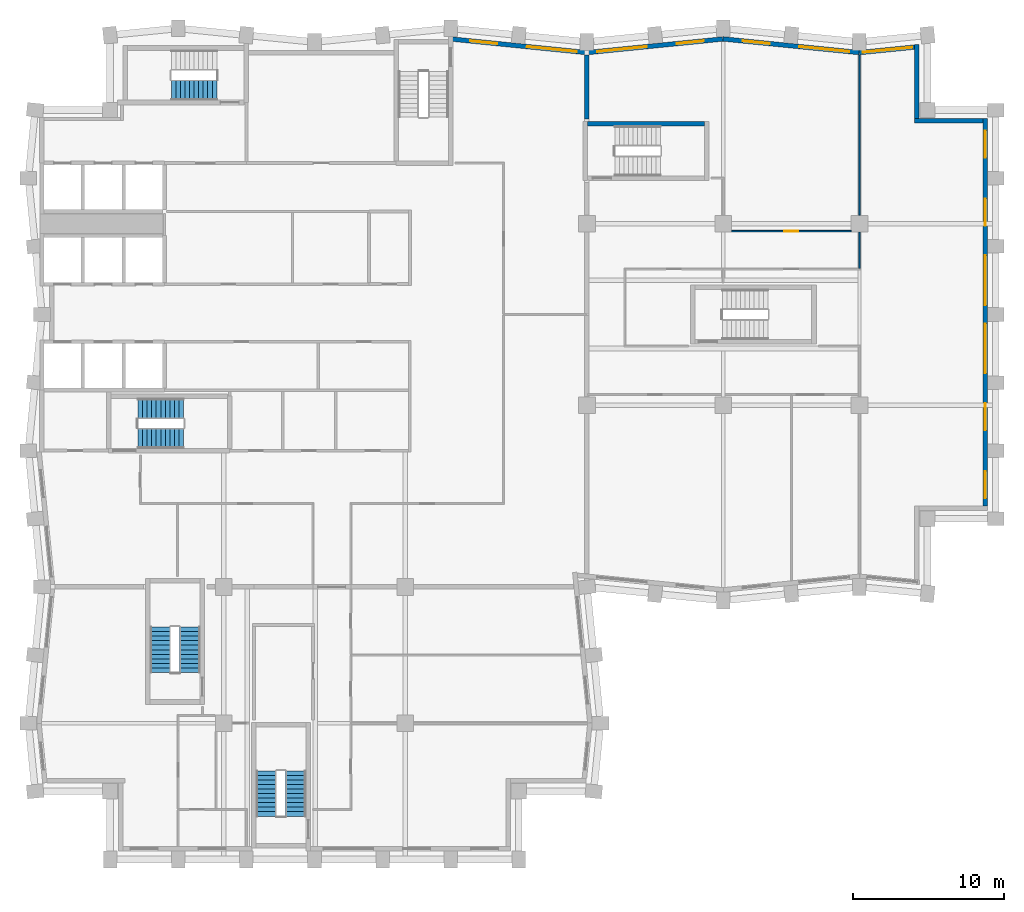
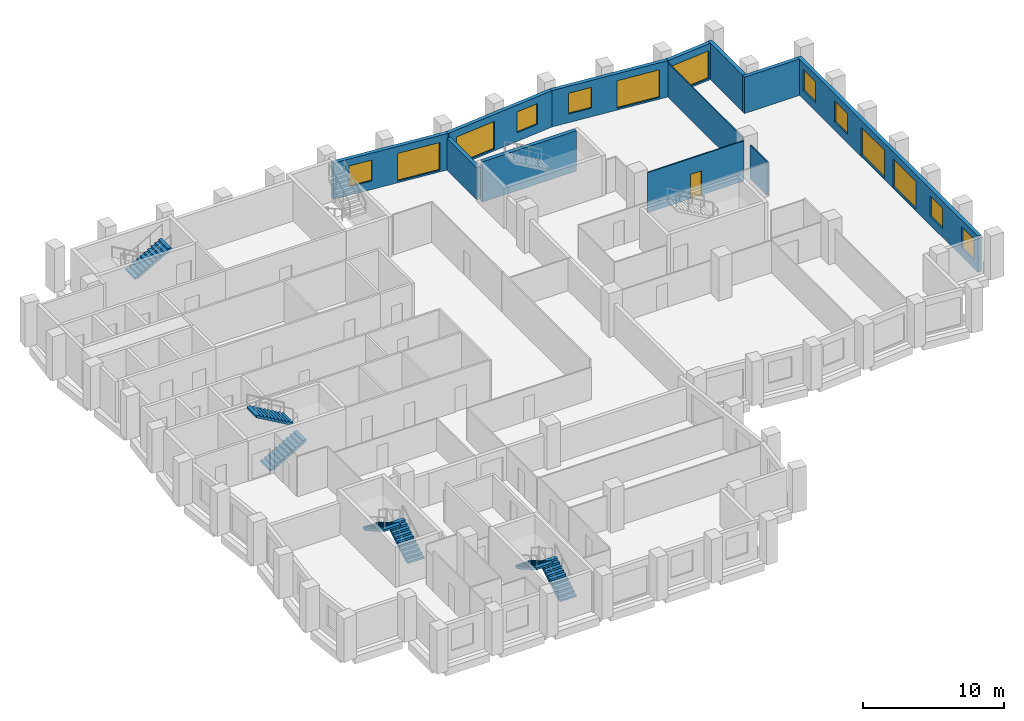
# One storey, part 7 of 10: 13 windows, 12 walls, 7 stair flights, 1 door, 14 openings, 4 elements without a shape of their own.
"""IFC4 building model written with IfcOpenShell, lengths in metres."""

from ifc_helpers import new_model, si_unit, direction, frame, frame_2d, origin, place, context, subcontext, project, spatial, polyline, rectangle, outline, extrude, material, layer, layer_set, type_object, element, fill, aggregate, save


model = new_model("IFC4")

# Units and contexts
model_context = context("Model", 3, precision=1e-05, world=origin(), true_north=direction((0.0, 1.0)))
body_context = subcontext(model_context, "Body", "Model", "MODEL_VIEW")
ifc_project = project(units=[si_unit("LENGTHUNIT", "METRE"), si_unit("AREAUNIT", "SQUARE_METRE"), si_unit("VOLUMEUNIT", "CUBIC_METRE"), si_unit("PLANEANGLEUNIT", "RADIAN"), si_unit("MASSUNIT", "GRAM", prefix="KILO")], contexts=[model_context])

# Site, building, storey
site_placement = place(None, origin())
site = spatial("IfcSite", under=ifc_project, at=site_placement, CompositionType="ELEMENT")
building_placement = place(site_placement, origin())
building = spatial("IfcBuilding", under=site, at=building_placement, Name="Brondeck Convention Tower", CompositionType="ELEMENT")
storey_placement = place(building_placement, frame((0.0, 0.0, 158.60009765625)))
storey = spatial("IfcBuildingStorey", under=building, at=storey_placement, Name="L38", CompositionType="ELEMENT", Elevation=158.60009765625)

# Wall
ifc_material_1 = material(Name="Concrete compartment wall C30/37", Category="concrete")
ifc_layer_1 = layer(ifc_material_1, 0.300048828125)
ifc_layer_set_1 = layer_set([ifc_layer_1], Name="Compartment wall 300")
wall_type_1 = type_object("IfcWallType", Name="Compartment wall 300", PredefinedType="PARTITIONING", material=ifc_layer_set_1)
wall_1_placement = place(storey_placement, frame((36.0, 57.89990234375, 0.0), z_axis=(0.0, 0.0, 1.0), x_axis=(0.0, 1.0, 0.0)))
element("IfcWall", 1, at=wall_1_placement, inside=storey, type_object=wall_type_1, Name="FLR-L38-W060", PredefinedType="PARTITIONING", context=body_context, shape_type="SweptSolid", body=[
    extrude(rectangle(XDim=4.22607421875, YDim=0.300048828125, at=frame_2d((2.113037109375, 0.0))), origin(), (0.0, 0.0, 1.0), 2.77978515625),
])

# Wall, openings, windows
ifc_material_2 = material(Name="Precast concrete C50/60 bronze finish", Category="concrete")
ifc_layer_2 = layer(ifc_material_2, 0.070068359375, Name="Bronze precast facing")
ifc_material_3 = material(Name="Mineral wool")
ifc_layer_3 = layer(ifc_material_3, 0.159912109375, Name="Insulation")
ifc_material_4 = material(Name="Concrete C35/45", Category="concrete")
ifc_layer_4 = layer(ifc_material_4, 0.070068359375, Name="Backing")
ifc_layer_set_2 = layer_set([ifc_layer_2, ifc_layer_3, ifc_layer_4], Name="External infill wall, precast concrete C50/60 bronze facing")
wall_type_2 = type_object("IfcWallType", Name="External infill wall, precast concrete C50/60 bronze facing", PredefinedType="SOLIDWALL", material=ifc_layer_set_2)
wall_2_placement = place(storey_placement, frame((62.300048828125, 57.949951171875, 0.0), z_axis=(0.0, 0.0, 1.0), x_axis=(0.0, -1.0, 0.0)))
wall_2 = element("IfcWall", 2, at=wall_2_placement, inside=storey, type_object=wall_type_2, Name="ENV-EW-L38-P1-A-E63-01", PredefinedType="SOLIDWALL", context=body_context, shape_type="SweptSolid", body=[
    extrude(rectangle(XDim=25.60205078125, YDim=0.300048828125, at=frame_2d((12.801025390625, 0.0))), origin(), (0.0, 0.0, 1.0), 3.14990234375),
])
opening_1_placement = place(wall_2_placement, frame((0.800048828125, 0.0, 0.75)))
opening_1 = element("IfcOpeningElement", 3, at=opening_1_placement, cuts=wall_2, Name="Opening W10", PredefinedType="OPENING", context=body_context, shape_type="SweptSolid", body=[
    extrude(rectangle(XDim=1.800048828125, YDim=1.800048828125, at=frame_2d((0.89990234375, 0.89990234375))), frame((0.0, 0.159912109375, 0.0), z_axis=(0.0, -1.0, 0.0), x_axis=(1.0, 0.0, 0.0)), (0.0, 0.0, 1.0), 0.320068359375),
])
opening_2_placement = place(wall_2_placement, frame((5.300048828125, 0.0, 0.75)))
opening_2 = element("IfcOpeningElement", 4, at=opening_2_placement, cuts=wall_2, Name="Opening W10", PredefinedType="OPENING", context=body_context, shape_type="SweptSolid", body=[
    extrude(rectangle(XDim=1.800048828125, YDim=1.800048828125, at=frame_2d((0.89990234375, 0.89990234375))), frame((0.0, 0.159912109375, 0.0), z_axis=(0.0, -1.0, 0.0), x_axis=(1.0, 0.0, 0.0)), (0.0, 0.0, 1.0), 0.320068359375),
])
opening_3_placement = place(wall_2_placement, frame((9.050048828125, 0.0, 0.14990234375)))
opening_3 = element("IfcOpeningElement", 5, at=opening_3_placement, cuts=wall_2, Name="Opening W9", PredefinedType="OPENING", context=body_context, shape_type="SweptSolid", body=[
    extrude(rectangle(XDim=3.300048828125, YDim=2.39990234375, at=frame_2d((1.64990234375, 1.199951171875))), frame((0.0, 0.159912109375, 0.0), z_axis=(0.0, -1.0, 0.0), x_axis=(1.0, 0.0, 0.0)), (0.0, 0.0, 1.0), 0.320068359375),
])
opening_4_placement = place(wall_2_placement, frame((13.550048828125, 0.0, 0.14990234375)))
opening_4 = element("IfcOpeningElement", 6, at=opening_4_placement, cuts=wall_2, Name="Opening W9", PredefinedType="OPENING", context=body_context, shape_type="SweptSolid", body=[
    extrude(rectangle(XDim=3.300048828125, YDim=2.39990234375, at=frame_2d((1.64990234375, 1.199951171875))), frame((0.0, 0.159912109375, 0.0), z_axis=(0.0, -1.0, 0.0), x_axis=(1.0, 0.0, 0.0)), (0.0, 0.0, 1.0), 0.320068359375),
])
opening_5_placement = place(wall_2_placement, frame((18.800048828125, 0.0, 0.75)))
opening_5 = element("IfcOpeningElement", 7, at=opening_5_placement, cuts=wall_2, Name="Opening W10", PredefinedType="OPENING", context=body_context, shape_type="SweptSolid", body=[
    extrude(rectangle(XDim=1.800048828125, YDim=1.800048828125, at=frame_2d((0.89990234375, 0.89990234375))), frame((0.0, 0.159912109375, 0.0), z_axis=(0.0, -1.0, 0.0), x_axis=(1.0, 0.0, 0.0)), (0.0, 0.0, 1.0), 0.320068359375),
])
opening_6_placement = place(wall_2_placement, frame((23.300048828125, 0.0, 0.75)))
opening_6 = element("IfcOpeningElement", 8, at=opening_6_placement, cuts=wall_2, Name="Opening W10", PredefinedType="OPENING", context=body_context, shape_type="SweptSolid", body=[
    extrude(rectangle(XDim=1.800048828125, YDim=1.800048828125, at=frame_2d((0.89990234375, 0.89990234375))), frame((0.0, 0.159912109375, 0.0), z_axis=(0.0, -1.0, 0.0), x_axis=(1.0, 0.0, 0.0)), (0.0, 0.0, 1.0), 0.320068359375),
])
ifc_material_5 = material(Name="Bronze tinted double glazing", Category="glass")
window_type_1 = type_object("IfcWindowType", Name="Glazed flute window, bronze tinted", PartitioningType="SINGLE_PANEL", PredefinedType="WINDOW", material=ifc_material_5)
window_1_placement = place(opening_3_placement, origin())
window_1 = element("IfcWindow", 9, at=window_1_placement, inside=storey, type_object=window_type_1, Name="ENV-WN-L38-P1-A-E63-04", OverallHeight=2.39990234375, OverallWidth=3.300048828125, PartitioningType="SINGLE_PANEL", PredefinedType="WINDOW", context=body_context, shape_type="SweptSolid", body=[
    extrude(rectangle(XDim=3.300048828125, YDim=2.39990234375, at=frame_2d((1.64990234375, 1.199951171875))), frame((0.0, 0.030029296875, 0.0), z_axis=(0.0, -1.0, 0.0), x_axis=(1.0, 0.0, 0.0)), (0.0, 0.0, 1.0), 0.06005859375),
])
fill(opening_3, window_1)
window_2_placement = place(opening_4_placement, origin())
window_2 = element("IfcWindow", 10, at=window_2_placement, inside=storey, type_object=window_type_1, Name="ENV-WN-L38-P1-A-E63-03", OverallHeight=2.39990234375, OverallWidth=3.300048828125, PartitioningType="SINGLE_PANEL", PredefinedType="WINDOW", context=body_context, shape_type="SweptSolid", body=[
    extrude(rectangle(XDim=3.300048828125, YDim=2.39990234375, at=frame_2d((1.64990234375, 1.199951171875))), frame((0.0, 0.030029296875, 0.0), z_axis=(0.0, -1.0, 0.0), x_axis=(1.0, 0.0, 0.0)), (0.0, 0.0, 1.0), 0.06005859375),
])
fill(opening_4, window_2)
window_type_2 = type_object("IfcWindowType", Name="Punched window, bronze tinted", PartitioningType="SINGLE_PANEL", PredefinedType="WINDOW", material=ifc_material_5)
window_3_placement = place(opening_1_placement, origin())
window_3 = element("IfcWindow", 11, at=window_3_placement, inside=storey, type_object=window_type_2, Name="ENV-WN-L38-P1-A-E63-06", OverallHeight=1.800048828125, OverallWidth=1.800048828125, PartitioningType="SINGLE_PANEL", PredefinedType="WINDOW", context=body_context, shape_type="SweptSolid", body=[
    extrude(rectangle(XDim=1.800048828125, YDim=1.800048828125, at=frame_2d((0.89990234375, 0.89990234375))), frame((0.0, 0.030029296875, 0.0), z_axis=(0.0, -1.0, 0.0), x_axis=(1.0, 0.0, 0.0)), (0.0, 0.0, 1.0), 0.06005859375),
])
fill(opening_1, window_3)
window_4_placement = place(opening_2_placement, origin())
window_4 = element("IfcWindow", 12, at=window_4_placement, inside=storey, type_object=window_type_2, Name="ENV-WN-L38-P1-A-E63-05", OverallHeight=1.800048828125, OverallWidth=1.800048828125, PartitioningType="SINGLE_PANEL", PredefinedType="WINDOW", context=body_context, shape_type="SweptSolid", body=[
    extrude(rectangle(XDim=1.800048828125, YDim=1.800048828125, at=frame_2d((0.89990234375, 0.89990234375))), frame((0.0, 0.030029296875, 0.0), z_axis=(0.0, -1.0, 0.0), x_axis=(1.0, 0.0, 0.0)), (0.0, 0.0, 1.0), 0.06005859375),
])
fill(opening_2, window_4)
window_5_placement = place(opening_5_placement, origin())
window_5 = element("IfcWindow", 13, at=window_5_placement, inside=storey, type_object=window_type_2, Name="ENV-WN-L38-P1-A-E63-02", OverallHeight=1.800048828125, OverallWidth=1.800048828125, PartitioningType="SINGLE_PANEL", PredefinedType="WINDOW", context=body_context, shape_type="SweptSolid", body=[
    extrude(rectangle(XDim=1.800048828125, YDim=1.800048828125, at=frame_2d((0.89990234375, 0.89990234375))), frame((0.0, 0.030029296875, 0.0), z_axis=(0.0, -1.0, 0.0), x_axis=(1.0, 0.0, 0.0)), (0.0, 0.0, 1.0), 0.06005859375),
])
fill(opening_5, window_5)
window_6_placement = place(opening_6_placement, origin())
window_6 = element("IfcWindow", 14, at=window_6_placement, inside=storey, type_object=window_type_2, Name="ENV-WN-L38-P1-A-E63-01", OverallHeight=1.800048828125, OverallWidth=1.800048828125, PartitioningType="SINGLE_PANEL", PredefinedType="WINDOW", context=body_context, shape_type="SweptSolid", body=[
    extrude(rectangle(XDim=1.800048828125, YDim=1.800048828125, at=frame_2d((0.89990234375, 0.89990234375))), frame((0.0, 0.030029296875, 0.0), z_axis=(0.0, -1.0, 0.0), x_axis=(1.0, 0.0, 0.0)), (0.0, 0.0, 1.0), 0.06005859375),
])
fill(opening_6, window_6)

# Walls
wall_3_placement = place(storey_placement, frame((57.64990234375, 57.800048828125, 0.0), z_axis=(0.0, 0.0, 1.0), x_axis=(1.0, 0.0, 0.0)))
element("IfcWall", 15, at=wall_3_placement, inside=storey, type_object=wall_type_2, Name="ENV-EW-L38-P1-NC-NEA63-01", PredefinedType="SOLIDWALL", context=body_context, shape_type="SweptSolid", body=[
    extrude(rectangle(XDim=4.502197265625, YDim=0.300048828125, at=frame_2d((2.2509765625, 0.0))), origin(), (0.0, 0.0, 1.0), 3.14990234375),
])
wall_4_placement = place(storey_placement, frame((57.800048828125, 62.84228515625, 0.0), z_axis=(0.0, 0.0, 1.0), x_axis=(0.0, -1.0, 0.0)))
element("IfcWall", 16, at=wall_4_placement, inside=storey, type_object=wall_type_2, Name="ENV-EW-L38-P1-NC-NEA63-02", PredefinedType="SOLIDWALL", context=body_context, shape_type="SweptSolid", body=[
    extrude(rectangle(XDim=4.894287109375, YDim=0.300048828125, at=frame_2d((2.447265625, 0.0))), origin(), (0.0, 0.0, 1.0), 3.14990234375),
])

# Wall, opening, window
wall_5_placement = place(storey_placement, frame((53.985107421875, 62.294921875, 0.0), z_axis=(0.0, 0.0, 1.0), x_axis=(0.99503719021, 0.099503719021, 0.0)))
wall_5 = element("IfcWall", 17, at=wall_5_placement, inside=storey, type_object=wall_type_2, Name="ENV-EW-L38-P1-A-N-12", PredefinedType="SOLIDWALL", context=body_context, shape_type="SweptSolid", body=[
    extrude(rectangle(XDim=3.677978515625, YDim=0.300048828125, at=frame_2d((1.8388671875, 0.0))), origin(), (0.0, 0.0, 1.0), 3.14990234375),
])
opening_7_placement = place(wall_5_placement, frame((0.22802734375, 0.0, 0.14990234375)))
opening_7 = element("IfcOpeningElement", 18, at=opening_7_placement, cuts=wall_5, Name="Opening W9", PredefinedType="OPENING", context=body_context, shape_type="SweptSolid", body=[
    extrude(rectangle(XDim=3.300048828125, YDim=2.39990234375, at=frame_2d((1.64990234375, 1.199951171875))), frame((0.0, 0.159912109375, 0.0), z_axis=(0.0, -1.0, 0.0), x_axis=(1.0, 0.0, 0.0)), (0.0, 0.0, 1.0), 0.320068359375),
])
window_7_placement = place(opening_7_placement, origin())
window_7 = element("IfcWindow", 19, at=window_7_placement, inside=storey, type_object=window_type_1, Name="ENV-WN-L38-P1-A-N-12", OverallHeight=2.39990234375, OverallWidth=3.300048828125, PartitioningType="SINGLE_PANEL", PredefinedType="WINDOW", context=body_context, shape_type="SweptSolid", body=[
    extrude(rectangle(XDim=3.300048828125, YDim=2.39990234375, at=frame_2d((1.64990234375, 1.199951171875))), frame((0.0, 0.030029296875, 0.0), z_axis=(0.0, -1.0, 0.0), x_axis=(1.0, 0.0, 0.0)), (0.0, 0.0, 1.0), 0.06005859375),
])
fill(opening_7, window_7)

# Wall, openings, windows
wall_6_placement = place(storey_placement, frame((44.985107421875, 63.197998046875, 0.0), z_axis=(0.0, 0.0, 1.0), x_axis=(0.995037993253, -0.099495688264, 0.0)))
wall_6 = element("IfcWall", 20, at=wall_6_placement, inside=storey, type_object=wall_type_2, Name="ENV-EW-L38-P1-A-N-11", PredefinedType="SOLIDWALL", context=body_context, shape_type="SweptSolid", body=[
    extrude(rectangle(XDim=9.030029296875, YDim=0.300048828125, at=frame_2d((4.51513671875, 0.0))), origin(), (0.0, 0.0, 1.0), 3.14990234375),
])
opening_8_placement = place(wall_6_placement, frame((1.30615234375, 0.0, 0.75)))
opening_8 = element("IfcOpeningElement", 21, at=opening_8_placement, cuts=wall_6, Name="Opening W10", PredefinedType="OPENING", context=body_context, shape_type="SweptSolid", body=[
    extrude(rectangle(XDim=1.800048828125, YDim=1.800048828125, at=frame_2d((0.89990234375, 0.89990234375))), frame((0.0, 0.159912109375, 0.0), z_axis=(0.0, -1.0, 0.0), x_axis=(1.0, 0.0, 0.0)), (0.0, 0.0, 1.0), 0.320068359375),
])
opening_9_placement = place(wall_6_placement, frame((5.07861328125, 0.0, 0.14990234375)))
opening_9 = element("IfcOpeningElement", 22, at=opening_9_placement, cuts=wall_6, Name="Opening W9", PredefinedType="OPENING", context=body_context, shape_type="SweptSolid", body=[
    extrude(rectangle(XDim=3.300048828125, YDim=2.39990234375, at=frame_2d((1.64990234375, 1.199951171875))), frame((0.0, 0.159912109375, 0.0), z_axis=(0.0, -1.0, 0.0), x_axis=(1.0, 0.0, 0.0)), (0.0, 0.0, 1.0), 0.320068359375),
])
window_8_placement = place(opening_9_placement, origin())
window_8 = element("IfcWindow", 23, at=window_8_placement, inside=storey, type_object=window_type_1, Name="ENV-WN-L38-P1-A-N-11", OverallHeight=2.39990234375, OverallWidth=3.300048828125, PartitioningType="SINGLE_PANEL", PredefinedType="WINDOW", context=body_context, shape_type="SweptSolid", body=[
    extrude(rectangle(XDim=3.300048828125, YDim=2.39990234375, at=frame_2d((1.64990234375, 1.199951171875))), frame((0.0, 0.030029296875, 0.0), z_axis=(0.0, -1.0, 0.0), x_axis=(1.0, 0.0, 0.0)), (0.0, 0.0, 1.0), 0.06005859375),
])
fill(opening_9, window_8)
window_9_placement = place(opening_8_placement, origin())
window_9 = element("IfcWindow", 24, at=window_9_placement, inside=storey, type_object=window_type_2, Name="ENV-WN-L38-P1-A-N-10", OverallHeight=1.800048828125, OverallWidth=1.800048828125, PartitioningType="SINGLE_PANEL", PredefinedType="WINDOW", context=body_context, shape_type="SweptSolid", body=[
    extrude(rectangle(XDim=1.800048828125, YDim=1.800048828125, at=frame_2d((0.89990234375, 0.89990234375))), frame((0.0, 0.030029296875, 0.0), z_axis=(0.0, -1.0, 0.0), x_axis=(1.0, 0.0, 0.0)), (0.0, 0.0, 1.0), 0.06005859375),
])
fill(opening_8, window_9)

wall_7_placement = place(storey_placement, frame((35.985107421875, 62.294921875, 0.0), z_axis=(0.0, 0.0, 1.0), x_axis=(0.995035316196, 0.099522457379, 0.0)))
wall_7 = element("IfcWall", 25, at=wall_7_placement, inside=storey, type_object=wall_type_2, Name="ENV-EW-L38-P1-A-N-09", PredefinedType="SOLIDWALL", context=body_context, shape_type="SweptSolid", body=[
    extrude(rectangle(XDim=9.030029296875, YDim=0.300048828125, at=frame_2d((4.51513671875, 0.0))), origin(), (0.0, 0.0, 1.0), 3.14990234375),
])
opening_10_placement = place(wall_7_placement, frame((0.6962890625, 0.0, 0.14990234375)))
opening_10 = element("IfcOpeningElement", 26, at=opening_10_placement, cuts=wall_7, Name="Opening W9", PredefinedType="OPENING", context=body_context, shape_type="SweptSolid", body=[
    extrude(rectangle(XDim=3.300048828125, YDim=2.39990234375, at=frame_2d((1.64990234375, 1.199951171875))), frame((0.0, 0.159912109375, 0.0), z_axis=(0.0, -1.0, 0.0), x_axis=(1.0, 0.0, 0.0)), (0.0, 0.0, 1.0), 0.320068359375),
])
opening_11_placement = place(wall_7_placement, frame((5.968505859375, 0.0, 0.75)))
opening_11 = element("IfcOpeningElement", 27, at=opening_11_placement, cuts=wall_7, Name="Opening W10", PredefinedType="OPENING", context=body_context, shape_type="SweptSolid", body=[
    extrude(rectangle(XDim=1.800048828125, YDim=1.800048828125, at=frame_2d((0.89990234375, 0.89990234375))), frame((0.0, 0.159912109375, 0.0), z_axis=(0.0, -1.0, 0.0), x_axis=(1.0, 0.0, 0.0)), (0.0, 0.0, 1.0), 0.320068359375),
])
window_10_placement = place(opening_10_placement, origin())
window_10 = element("IfcWindow", 28, at=window_10_placement, inside=storey, type_object=window_type_1, Name="ENV-WN-L38-P1-A-N-08", OverallHeight=2.39990234375, OverallWidth=3.300048828125, PartitioningType="SINGLE_PANEL", PredefinedType="WINDOW", context=body_context, shape_type="SweptSolid", body=[
    extrude(rectangle(XDim=3.300048828125, YDim=2.39990234375, at=frame_2d((1.64990234375, 1.199951171875))), frame((0.0, 0.030029296875, 0.0), z_axis=(0.0, -1.0, 0.0), x_axis=(1.0, 0.0, 0.0)), (0.0, 0.0, 1.0), 0.06005859375),
])
fill(opening_10, window_10)
window_11_placement = place(opening_11_placement, origin())
window_11 = element("IfcWindow", 29, at=window_11_placement, inside=storey, type_object=window_type_2, Name="ENV-WN-L38-P1-A-N-09", OverallHeight=1.800048828125, OverallWidth=1.800048828125, PartitioningType="SINGLE_PANEL", PredefinedType="WINDOW", context=body_context, shape_type="SweptSolid", body=[
    extrude(rectangle(XDim=1.800048828125, YDim=1.800048828125, at=frame_2d((0.89990234375, 0.89990234375))), frame((0.0, 0.030029296875, 0.0), z_axis=(0.0, -1.0, 0.0), x_axis=(1.0, 0.0, 0.0)), (0.0, 0.0, 1.0), 0.06005859375),
])
fill(opening_11, window_11)

wall_8_placement = place(storey_placement, frame((27.07958984375, 63.188720703125, 0.0), z_axis=(0.0, 0.0, 1.0), x_axis=(0.995036108007, -0.099514540459, 0.0)))
wall_8 = element("IfcWall", 30, at=wall_8_placement, inside=storey, type_object=wall_type_2, Name="ENV-EW-L38-P1-A-N-07", PredefinedType="SOLIDWALL", context=body_context, shape_type="SweptSolid", body=[
    extrude(rectangle(XDim=8.93505859375, YDim=0.300048828125, at=frame_2d((4.467529296875, 0.0))), origin(), (0.0, 0.0, 1.0), 3.14990234375),
])
opening_12_placement = place(wall_8_placement, frame((1.211181640625, 0.0, 0.75)))
opening_12 = element("IfcOpeningElement", 31, at=opening_12_placement, cuts=wall_8, Name="Opening W10", PredefinedType="OPENING", context=body_context, shape_type="SweptSolid", body=[
    extrude(rectangle(XDim=1.800048828125, YDim=1.800048828125, at=frame_2d((0.89990234375, 0.89990234375))), frame((0.0, 0.159912109375, 0.0), z_axis=(0.0, -1.0, 0.0), x_axis=(1.0, 0.0, 0.0)), (0.0, 0.0, 1.0), 0.320068359375),
])
opening_13_placement = place(wall_8_placement, frame((4.983642578125, 0.0, 0.14990234375)))
opening_13 = element("IfcOpeningElement", 32, at=opening_13_placement, cuts=wall_8, Name="Opening W9", PredefinedType="OPENING", context=body_context, shape_type="SweptSolid", body=[
    extrude(rectangle(XDim=3.300048828125, YDim=2.39990234375, at=frame_2d((1.64990234375, 1.199951171875))), frame((0.0, 0.159912109375, 0.0), z_axis=(0.0, -1.0, 0.0), x_axis=(1.0, 0.0, 0.0)), (0.0, 0.0, 1.0), 0.320068359375),
])
window_12_placement = place(opening_13_placement, origin())
window_12 = element("IfcWindow", 33, at=window_12_placement, inside=storey, type_object=window_type_1, Name="ENV-WN-L38-P1-A-N-07", OverallHeight=2.39990234375, OverallWidth=3.300048828125, PartitioningType="SINGLE_PANEL", PredefinedType="WINDOW", context=body_context, shape_type="SweptSolid", body=[
    extrude(rectangle(XDim=3.300048828125, YDim=2.39990234375, at=frame_2d((1.64990234375, 1.199951171875))), frame((0.0, 0.030029296875, 0.0), z_axis=(0.0, -1.0, 0.0), x_axis=(1.0, 0.0, 0.0)), (0.0, 0.0, 1.0), 0.06005859375),
])
fill(opening_13, window_12)
window_13_placement = place(opening_12_placement, origin())
window_13 = element("IfcWindow", 34, at=window_13_placement, inside=storey, type_object=window_type_2, Name="ENV-WN-L38-P1-A-N-06", OverallHeight=1.800048828125, OverallWidth=1.800048828125, PartitioningType="SINGLE_PANEL", PredefinedType="WINDOW", context=body_context, shape_type="SweptSolid", body=[
    extrude(rectangle(XDim=1.800048828125, YDim=1.800048828125, at=frame_2d((0.89990234375, 0.89990234375))), frame((0.0, 0.030029296875, 0.0), z_axis=(0.0, -1.0, 0.0), x_axis=(1.0, 0.0, 0.0)), (0.0, 0.0, 1.0), 0.06005859375),
])
fill(opening_12, window_13)

# Wall
ifc_material_6 = material(Name="Gypsum board partition on steel studs", Category="steel")
ifc_layer_5 = layer(ifc_material_6, 0.10009765625)
ifc_layer_set_3 = layer_set([ifc_layer_5], Name="Room partition 100")
wall_type_3 = type_object("IfcWallType", Name="Room partition 100", PredefinedType="PARTITIONING", material=ifc_layer_set_3)
wall_9_placement = place(storey_placement, frame((54.0, 50.445068359375, 0.0), z_axis=(0.0, 0.0, 1.0), x_axis=(0.0, -1.0, 0.0)))
element("IfcWall", 35, at=wall_9_placement, inside=storey, type_object=wall_type_3, Name="FLR-L38-W052", PredefinedType="PARTITIONING", context=body_context, shape_type="SweptSolid", body=[
    extrude(rectangle(XDim=2.39501953125, YDim=0.10009765625, at=frame_2d((1.197509765625, 0.0))), origin(), (0.0, 0.0, 1.0), 2.929931640625),
])

# Wall, opening, door
wall_10_placement = place(storey_placement, frame((45.554931640625, 50.5, 0.0), z_axis=(0.0, 0.0, 1.0), x_axis=(1.0, 0.0, 0.0)))
wall_10 = element("IfcWall", 36, at=wall_10_placement, inside=storey, type_object=wall_type_3, Name="FLR-L38-W053", PredefinedType="PARTITIONING", context=body_context, shape_type="SweptSolid", body=[
    extrude(rectangle(XDim=7.89013671875, YDim=0.10009765625, at=frame_2d((3.945068359375, 0.0))), origin(), (0.0, 0.0, 1.0), 3.47998046875),
])
opening_14_placement = place(wall_10_placement, frame((3.4951171875, 0.0, 0.0)))
opening_14 = element("IfcOpeningElement", 37, at=opening_14_placement, cuts=wall_10, Name="Opening OF-G-008", PredefinedType="OPENING", context=body_context, shape_type="SweptSolid", body=[
    extrude(rectangle(XDim=0.89990234375, YDim=2.10009765625, at=frame_2d((0.449951171875, 1.050048828125))), frame((0.0, 0.06005859375, 0.0), z_axis=(0.0, -1.0, 0.0), x_axis=(1.0, 0.0, 0.0)), (0.0, 0.0, 1.0), 0.1201171875),
])
ifc_material_7 = material(Name="Solid timber door leaf", Category="wood")
door_type = type_object("IfcDoorType", Name="Single door 900", OperationType="NOTDEFINED", PredefinedType="DOOR", material=ifc_material_7)
door_placement = place(opening_14_placement, origin())
door = element("IfcDoor", 38, at=door_placement, inside=storey, type_object=door_type, Name="Door OF-G-008", OperationType="SINGLE_SWING_LEFT", OverallHeight=2.10009765625, OverallWidth=0.89990234375, PredefinedType="DOOR", context=body_context, shape_type="SweptSolid", body=[
    extrude(rectangle(XDim=0.89990234375, YDim=2.10009765625, at=frame_2d((0.449951171875, 1.050048828125))), frame((0.0, 0.02490234375, 0.0), z_axis=(0.0, -1.0, 0.0), x_axis=(1.0, 0.0, 0.0)), (0.0, 0.0, 1.0), 0.050048828125),
])
fill(opening_14, door)

# Walls
wall_11_placement = place(storey_placement, frame((54.0, 51.554931640625, 0.0), z_axis=(0.0, 0.0, 1.0), x_axis=(0.0, 1.0, 0.0)))
element("IfcWall", 39, at=wall_11_placement, inside=storey, type_object=wall_type_3, Name="FLR-L38-W055", PredefinedType="PARTITIONING", context=body_context, shape_type="SweptSolid", body=[
    extrude(rectangle(XDim=10.57080078125, YDim=0.10009765625, at=frame_2d((5.285400390625, 0.0))), origin(), (0.0, 0.0, 1.0), 2.929931640625),
])
ifc_material_8 = material(Name="Concrete C70/85", Category="concrete")
ifc_layer_6 = layer(ifc_material_8, 0.300048828125)
ifc_layer_set_4 = layer_set([ifc_layer_6], Name="Stair enclosure wall 300 Concrete C70/85")
wall_type_4 = type_object("IfcWallType", Name="Stair enclosure wall 300 Concrete C70/85", PredefinedType="SHEAR", material=ifc_layer_set_4)
wall_12_placement = place(storey_placement, frame((36.050048828125, 57.60009765625, 0.0), z_axis=(0.0, 0.0, 1.0), x_axis=(1.0, 0.0, 0.0)))
element("IfcWall", 40, at=wall_12_placement, inside=storey, type_object=wall_type_4, Name="L38 core wall", PredefinedType="SHEAR", context=body_context, shape_type="SweptSolid", body=[
    extrude(rectangle(XDim=7.699951171875, YDim=0.300048828125, at=frame_2d((3.85009765625, 0.0))), origin(), (0.0, 0.0, 1.0), 3.5),
])

# Stair, stair flights
ifc_material_9 = material(Name="Precast concrete C50/60", Category="concrete")
stair_type = type_object("IfcStairType", Name="Core stair 22 risers 172.73 mm riser 300 mm going 1350 wide", PredefinedType="HALF_TURN_STAIR", material=ifc_material_9)
stair_1_placement = place(storey_placement, origin())
stair_1 = element("IfcStair", 41, at=stair_1_placement, inside=storey, type_object=stair_type, Name="ST-1 L38 stair", PredefinedType="HALF_TURN_STAIR")
stair_flight_type = type_object("IfcStairFlightType", Name="Core stair flight 22 risers 172.73 mm riser 300 mm going 1350 wide", PredefinedType="STRAIGHT", material=ifc_material_9)
stair_flight_1_placement = place(storey_placement, frame((6.35009765625, 36.824951171875, 0.0), z_axis=(0.0, 0.0, 1.0), x_axis=(1.0, 0.0, 0.0)))
stair_flight_1 = element("IfcStairFlight", 42, at=stair_flight_1_placement, type_object=stair_flight_type, Name="ST-1 flight 1", NumberOfRisers=11, NumberOfTreads=10, PredefinedType="STRAIGHT", RiserHeight=0.172727273, TreadLength=0.3, context=body_context, shape_type="SweptSolid", body=[
    extrude(outline(polyline([(0.0, 0.0), (0.0, 0.172607421875), (0.300048828125, 0.172607421875), (0.300048828125, 0.345458984375), (0.60009765625, 0.345458984375), (0.60009765625, 0.51806640625), (0.89990234375, 0.51806640625), (0.89990234375, 0.69091796875), (1.199951171875, 0.69091796875), (1.199951171875, 0.863525390625), (1.5, 0.863525390625), (1.5, 1.036376953125), (1.800048828125, 1.036376953125), (1.800048828125, 1.208984375), (2.10009765625, 1.208984375), (2.10009765625, 1.3818359375), (2.39990234375, 1.3818359375), (2.39990234375, 1.554443359375), (2.699951171875, 1.554443359375), (2.699951171875, 1.727294921875), (3.0, 1.727294921875), (3.0, 1.89990234375), (3.0, 1.55419921875), (0.300537109375, 0.0), (0.0, 0.0)])), frame((0.0, 0.675048828125, 0.0), z_axis=(0.0, -1.0, 0.0), x_axis=(1.0, 0.0, 0.0)), (0.0, 0.0, 1.0), 1.35009765625),
])
stair_flight_2_placement = place(storey_placement, frame((9.35009765625, 38.77490234375, 1.89990234375), z_axis=(0.0, 0.0, 1.0), x_axis=(-1.0, 0.0, 0.0)))
stair_flight_2 = element("IfcStairFlight", 43, at=stair_flight_2_placement, type_object=stair_flight_type, Name="ST-1 flight 2", NumberOfRisers=11, NumberOfTreads=10, PredefinedType="STRAIGHT", RiserHeight=0.172727273, TreadLength=0.3, context=body_context, shape_type="SweptSolid", body=[
    extrude(outline(polyline([(0.0, 0.0), (0.0, 0.172607421875), (0.300048828125, 0.172607421875), (0.300048828125, 0.345458984375), (0.60009765625, 0.345458984375), (0.60009765625, 0.51806640625), (0.89990234375, 0.51806640625), (0.89990234375, 0.69091796875), (1.199951171875, 0.69091796875), (1.199951171875, 0.863525390625), (1.5, 0.863525390625), (1.5, 1.036376953125), (1.800048828125, 1.036376953125), (1.800048828125, 1.208984375), (2.10009765625, 1.208984375), (2.10009765625, 1.3818359375), (2.39990234375, 1.3818359375), (2.39990234375, 1.554443359375), (2.699951171875, 1.554443359375), (2.699951171875, 1.727294921875), (3.0, 1.727294921875), (3.0, 1.89990234375), (3.0, 1.55419921875), (0.300537109375, 0.0), (0.0, 0.0)])), frame((0.0, 0.675048828125, 0.0), z_axis=(0.0, -1.0, 0.0), x_axis=(1.0, 0.0, 0.0)), (0.0, 0.0, 1.0), 1.35009765625),
])
aggregate(stair_1, [stair_flight_1, stair_flight_2])

# Stair, stair flight
stair_2_placement = place(storey_placement, origin())
stair_2 = element("IfcStair", 44, at=stair_2_placement, inside=storey, type_object=stair_type, Name="ST-3 L38 stair", PredefinedType="HALF_TURN_STAIR")
stair_flight_3_placement = place(storey_placement, frame((8.550048828125, 59.824951171875, 1.89990234375), z_axis=(0.0, 0.0, 1.0), x_axis=(1.0, 0.0, 0.0)))
stair_flight_3 = element("IfcStairFlight", 45, at=stair_flight_3_placement, type_object=stair_flight_type, Name="ST-3 flight 2", NumberOfRisers=11, NumberOfTreads=10, PredefinedType="STRAIGHT", RiserHeight=0.172727273, TreadLength=0.3, context=body_context, shape_type="SweptSolid", body=[
    extrude(outline(polyline([(0.0, 0.0), (0.0, 0.172607421875), (0.300048828125, 0.172607421875), (0.300048828125, 0.345458984375), (0.60009765625, 0.345458984375), (0.60009765625, 0.51806640625), (0.89990234375, 0.51806640625), (0.89990234375, 0.69091796875), (1.199951171875, 0.69091796875), (1.199951171875, 0.863525390625), (1.5, 0.863525390625), (1.5, 1.036376953125), (1.800048828125, 1.036376953125), (1.800048828125, 1.208984375), (2.10009765625, 1.208984375), (2.10009765625, 1.3818359375), (2.39990234375, 1.3818359375), (2.39990234375, 1.554443359375), (2.699951171875, 1.554443359375), (2.699951171875, 1.727294921875), (3.0, 1.727294921875), (3.0, 1.89990234375), (3.0, 1.55419921875), (0.300537109375, 0.0), (0.0, 0.0)])), frame((0.0, 0.675048828125, 0.0), z_axis=(0.0, -1.0, 0.0), x_axis=(1.0, 0.0, 0.0)), (0.0, 0.0, 1.0), 1.35009765625),
])
aggregate(stair_2, [stair_flight_3])

# Stair, stair flights
stair_3_placement = place(storey_placement, origin())
stair_3 = element("IfcStair", 46, at=stair_3_placement, inside=storey, type_object=stair_type, Name="ST-BE L38 stair", PredefinedType="HALF_TURN_STAIR")
stair_flight_4_placement = place(storey_placement, frame((9.77490234375, 21.35009765625, 0.0), z_axis=(0.0, 0.0, 1.0), x_axis=(0.0, 1.0, 0.0)))
stair_flight_4 = element("IfcStairFlight", 47, at=stair_flight_4_placement, type_object=stair_flight_type, Name="ST-BE flight 1", NumberOfRisers=11, NumberOfTreads=10, PredefinedType="STRAIGHT", RiserHeight=0.172727273, TreadLength=0.3, context=body_context, shape_type="SweptSolid", body=[
    extrude(outline(polyline([(0.0, 0.0), (0.0, 0.172607421875), (0.300048828125, 0.172607421875), (0.300048828125, 0.345458984375), (0.60009765625, 0.345458984375), (0.60009765625, 0.51806640625), (0.89990234375, 0.51806640625), (0.89990234375, 0.69091796875), (1.199951171875, 0.69091796875), (1.199951171875, 0.863525390625), (1.5, 0.863525390625), (1.5, 1.036376953125), (1.800048828125, 1.036376953125), (1.800048828125, 1.208984375), (2.10009765625, 1.208984375), (2.10009765625, 1.3818359375), (2.39990234375, 1.3818359375), (2.39990234375, 1.554443359375), (2.699951171875, 1.554443359375), (2.699951171875, 1.727294921875), (3.0, 1.727294921875), (3.0, 1.89990234375), (3.0, 1.55419921875), (0.300537109375, 0.0), (0.0, 0.0)])), frame((0.0, 0.675048828125, 0.0), z_axis=(0.0, -1.0, 0.0), x_axis=(1.0, 0.0, 0.0)), (0.0, 0.0, 1.0), 1.35009765625),
])
stair_flight_5_placement = place(storey_placement, frame((7.824951171875, 24.35009765625, 1.89990234375), z_axis=(0.0, 0.0, 1.0), x_axis=(0.0, -1.0, 0.0)))
stair_flight_5 = element("IfcStairFlight", 48, at=stair_flight_5_placement, type_object=stair_flight_type, Name="ST-BE flight 2", NumberOfRisers=11, NumberOfTreads=10, PredefinedType="STRAIGHT", RiserHeight=0.172727273, TreadLength=0.3, context=body_context, shape_type="SweptSolid", body=[
    extrude(outline(polyline([(0.0, 0.0), (0.0, 0.172607421875), (0.300048828125, 0.172607421875), (0.300048828125, 0.345458984375), (0.60009765625, 0.345458984375), (0.60009765625, 0.51806640625), (0.89990234375, 0.51806640625), (0.89990234375, 0.69091796875), (1.199951171875, 0.69091796875), (1.199951171875, 0.863525390625), (1.5, 0.863525390625), (1.5, 1.036376953125), (1.800048828125, 1.036376953125), (1.800048828125, 1.208984375), (2.10009765625, 1.208984375), (2.10009765625, 1.3818359375), (2.39990234375, 1.3818359375), (2.39990234375, 1.554443359375), (2.699951171875, 1.554443359375), (2.699951171875, 1.727294921875), (3.0, 1.727294921875), (3.0, 1.89990234375), (3.0, 1.55419921875), (0.300537109375, 0.0), (0.0, 0.0)])), frame((0.0, 0.675048828125, 0.0), z_axis=(0.0, -1.0, 0.0), x_axis=(1.0, 0.0, 0.0)), (0.0, 0.0, 1.0), 1.35009765625),
])
aggregate(stair_3, [stair_flight_4, stair_flight_5])

stair_4_placement = place(storey_placement, origin())
stair_4 = element("IfcStair", 49, at=stair_4_placement, inside=storey, type_object=stair_type, Name="ST-BF L38 stair", PredefinedType="HALF_TURN_STAIR")
stair_flight_6_placement = place(storey_placement, frame((16.77490234375, 11.85009765625, 0.0), z_axis=(0.0, 0.0, 1.0), x_axis=(0.0, 1.0, 0.0)))
stair_flight_6 = element("IfcStairFlight", 50, at=stair_flight_6_placement, type_object=stair_flight_type, Name="ST-BF flight 1", NumberOfRisers=11, NumberOfTreads=10, PredefinedType="STRAIGHT", RiserHeight=0.172727273, TreadLength=0.3, context=body_context, shape_type="SweptSolid", body=[
    extrude(outline(polyline([(0.0, 0.0), (0.0, 0.172607421875), (0.300048828125, 0.172607421875), (0.300048828125, 0.345458984375), (0.60009765625, 0.345458984375), (0.60009765625, 0.51806640625), (0.89990234375, 0.51806640625), (0.89990234375, 0.69091796875), (1.199951171875, 0.69091796875), (1.199951171875, 0.863525390625), (1.5, 0.863525390625), (1.5, 1.036376953125), (1.800048828125, 1.036376953125), (1.800048828125, 1.208984375), (2.10009765625, 1.208984375), (2.10009765625, 1.3818359375), (2.39990234375, 1.3818359375), (2.39990234375, 1.554443359375), (2.699951171875, 1.554443359375), (2.699951171875, 1.727294921875), (3.0, 1.727294921875), (3.0, 1.89990234375), (3.0, 1.55419921875), (0.300537109375, 0.0), (0.0, 0.0)])), frame((0.0, 0.675048828125, 0.0), z_axis=(0.0, -1.0, 0.0), x_axis=(1.0, 0.0, 0.0)), (0.0, 0.0, 1.0), 1.35009765625),
])
stair_flight_7_placement = place(storey_placement, frame((14.824951171875, 14.85009765625, 1.89990234375), z_axis=(0.0, 0.0, 1.0), x_axis=(0.0, -1.0, 0.0)))
stair_flight_7 = element("IfcStairFlight", 51, at=stair_flight_7_placement, type_object=stair_flight_type, Name="ST-BF flight 2", NumberOfRisers=11, NumberOfTreads=10, PredefinedType="STRAIGHT", RiserHeight=0.172727273, TreadLength=0.3, context=body_context, shape_type="SweptSolid", body=[
    extrude(outline(polyline([(0.0, 0.0), (0.0, 0.172607421875), (0.300048828125, 0.172607421875), (0.300048828125, 0.345458984375), (0.60009765625, 0.345458984375), (0.60009765625, 0.51806640625), (0.89990234375, 0.51806640625), (0.89990234375, 0.69091796875), (1.199951171875, 0.69091796875), (1.199951171875, 0.863525390625), (1.5, 0.863525390625), (1.5, 1.036376953125), (1.800048828125, 1.036376953125), (1.800048828125, 1.208984375), (2.10009765625, 1.208984375), (2.10009765625, 1.3818359375), (2.39990234375, 1.3818359375), (2.39990234375, 1.554443359375), (2.699951171875, 1.554443359375), (2.699951171875, 1.727294921875), (3.0, 1.727294921875), (3.0, 1.89990234375), (3.0, 1.55419921875), (0.300537109375, 0.0), (0.0, 0.0)])), frame((0.0, 0.675048828125, 0.0), z_axis=(0.0, -1.0, 0.0), x_axis=(1.0, 0.0, 0.0)), (0.0, 0.0, 1.0), 1.35009765625),
])
aggregate(stair_4, [stair_flight_6, stair_flight_7])

save(model, "model.ifc")
